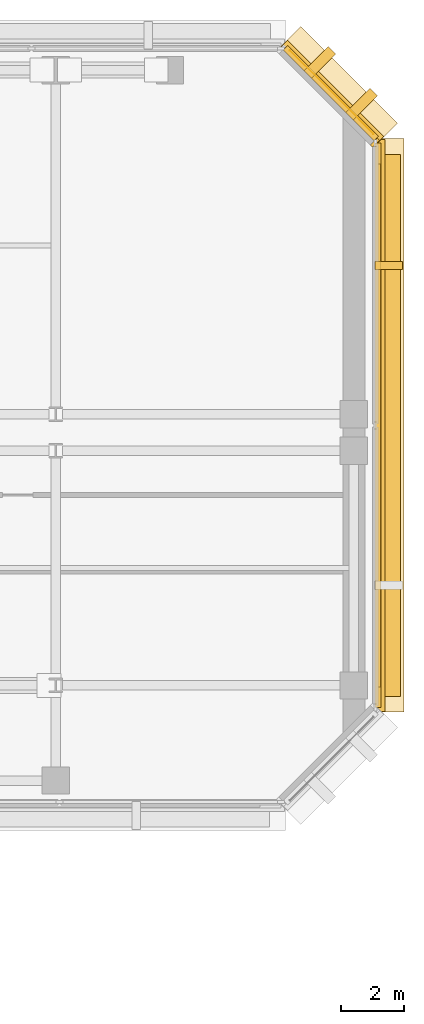
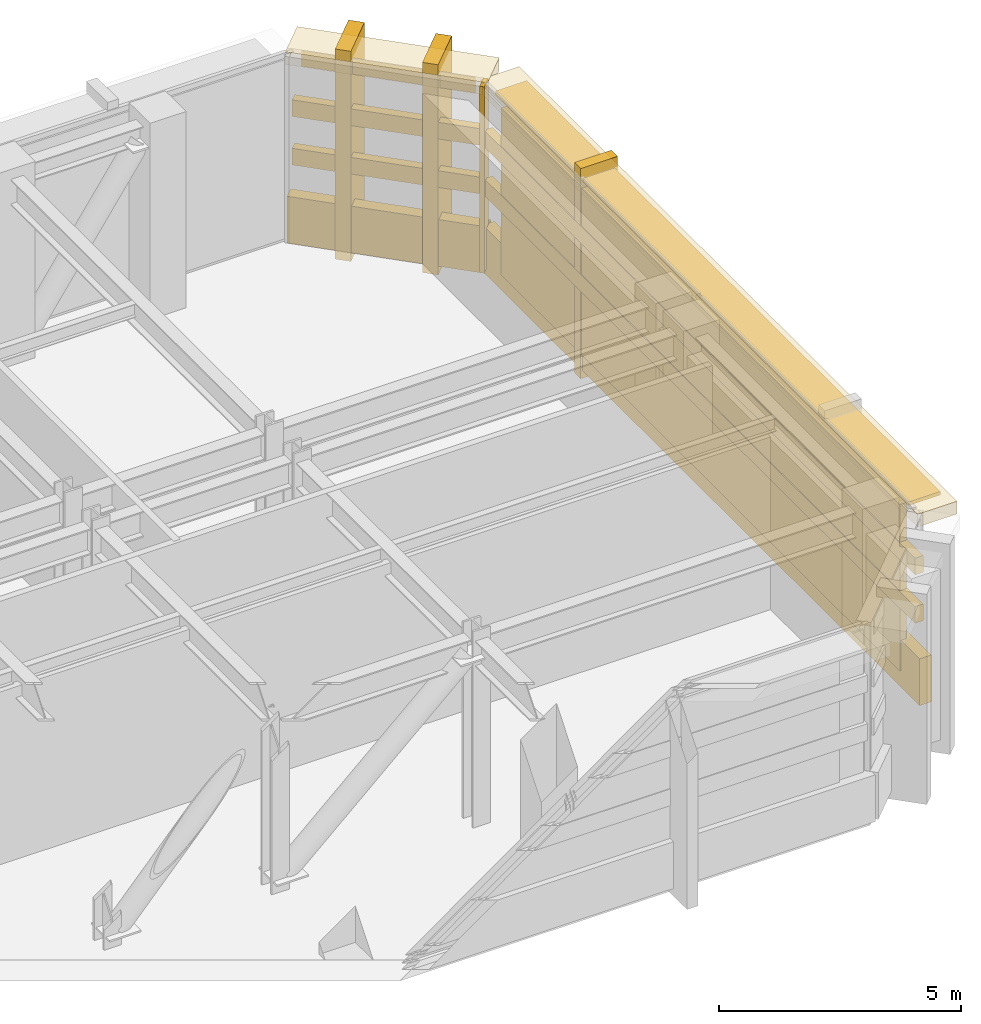
# One storey, part 12 of 12: 13 coverings, 2 shading devices.
"""IFC4 building model written with IfcOpenShell, lengths in metres."""

from ifc_helpers import new_model, si_unit, direction, frame, origin, origin_2d, place, context, subcontext, project, spatial, rectangle, extrude, material, layer, layer_set, type_object, element, save


model = new_model("IFC4")

# Units and contexts
model_context = context("Model", 3, precision=1e-05, world=origin(), true_north=direction((0.0, 1.0)))
body_context = subcontext(model_context, "Body", "Model", "MODEL_VIEW")
ifc_project = project(units=[si_unit("LENGTHUNIT", "METRE"), si_unit("AREAUNIT", "SQUARE_METRE"), si_unit("VOLUMEUNIT", "CUBIC_METRE"), si_unit("PLANEANGLEUNIT", "RADIAN"), si_unit("MASSUNIT", "GRAM", prefix="KILO")], contexts=[model_context])

# Site, building, storey
site_placement = place(None, origin())
site = spatial("IfcSite", under=ifc_project, at=site_placement, CompositionType="ELEMENT")
building_placement = place(site_placement, origin())
building = spatial("IfcBuilding", under=site, at=building_placement, Name="Kefirva Bronze Tower", CompositionType="ELEMENT")
storey_placement = place(building_placement, frame((0.0, 0.0, 174.570068359375)))
storey = spatial("IfcBuildingStorey", under=building, at=storey_placement, Name="L42", CompositionType="ELEMENT", Elevation=174.570068359375)

# Coverings
ifc_material = material(Name="Bronze anodised aluminium", Category="aluminium")
ifc_layer_1 = layer(ifc_material, 0.02001953125, Name="Bronze anodised aluminium")
ifc_layer_set_1 = layer_set([ifc_layer_1], Name="Bronze anodised aluminium")
covering_type_1 = type_object("IfcCoveringType", Name="Anodised Bronze Spandrel Cladding 20mm", PredefinedType="CLADDING", material=ifc_layer_set_1)
covering_1_placement = place(storey_placement, frame((50.239990234375, 34.0, -0.16015625), z_axis=(0.0, 0.0, 1.0), x_axis=(0.0, 1.0, 0.0)))
element("IfcCovering", 1, at=covering_1_placement, inside=storey, type_object=covering_type_1, Name="L42 Streamline Horizontal Spandrel Band 6", PredefinedType="CLADDING", context=body_context, shape_type="SweptSolid", body=[
    extrude(rectangle(XDim=18.0400390625, YDim=0.280029296875, at=origin_2d()), origin(), (0.0, 0.0, 1.0), 1.179931640625),
])
for number, where, z_axis, x_axis, name in (
    (2, (50.159912109375, 34.0, 1.85791015625), (0.0, 0.0, 1.0), (0.0, 1.0, 0.0), "L42 Recessed Zone-Break Bronze Louvre Band 6-1"),
    (3, (50.159912109375, 34.0, 3.080078125), (0.0, 0.0, 1.0), (0.0, 1.0, 0.0), "L42 Recessed Zone-Break Bronze Louvre Band 6-2"),
):
    element("IfcCovering", number, at=place(storey_placement, frame(where, z_axis=z_axis, x_axis=x_axis)), inside=storey, type_object=covering_type_1, Name=name, PredefinedType="CLADDING", context=body_context, shape_type="SweptSolid", body=[
        extrude(rectangle(XDim=17.800048828125, YDim=0.199951171875, at=origin_2d()), origin(), (0.0, 0.0, 1.0), 0.419921875),
    ])
covering_2_placement = place(storey_placement, frame((48.70703125, 44.507080078125, 4.280029296875), z_axis=(0.0, 0.0, 1.0), x_axis=(-0.707106781187, 0.707106781187, 0.0)))
element("IfcCovering", 4, at=covering_2_placement, inside=storey, type_object=covering_type_1, Name="L42 Bronze Spandrel Cladding 4", PredefinedType="CLADDING", context=body_context, shape_type="SweptSolid", body=[
    extrude(rectangle(XDim=3.719482421875, YDim=0.02001953125, at=origin_2d()), origin(), (0.0, 0.0, 1.0), 0.39990234375),
])
covering_3_placement = place(storey_placement, frame((50.06201171875, 42.91162109375, 0.0), z_axis=(0.0, 0.0, 1.0), x_axis=(-0.707106781187, 0.707106781187, 0.0)))
element("IfcCovering", 5, at=covering_3_placement, inside=storey, type_object=covering_type_1, Name="L42 Facade Joint Closure Panel 4S", PredefinedType="CLADDING", context=body_context, shape_type="SweptSolid", body=[
    extrude(rectangle(XDim=0.10009765625, YDim=0.320068359375, at=origin_2d()), origin(), (0.0, 0.0, 1.0), 4.699951171875),
])
covering_4_placement = place(storey_placement, frame((48.728271484375, 44.5283203125, -0.16015625), z_axis=(0.0, 0.0, 1.0), x_axis=(-0.707106781187, 0.707106781187, 0.0)))
element("IfcCovering", 6, at=covering_4_placement, inside=storey, type_object=covering_type_1, Name="L42 Streamline Horizontal Spandrel Band 7", PredefinedType="CLADDING", context=body_context, shape_type="SweptSolid", body=[
    extrude(rectangle(XDim=4.28271484375, YDim=0.280029296875, at=origin_2d()), origin(), (0.0, 0.0, 1.0), 1.179931640625),
])
for number, where, z_axis, x_axis, name in (
    (7, (48.671630859375, 44.4716796875, 1.85791015625), (0.0, 0.0, 1.0), (-0.707106781187, 0.707106781187, 0.0), "L42 Recessed Zone-Break Bronze Louvre Band 7-1"),
    (8, (48.671630859375, 44.4716796875, 3.080078125), (0.0, 0.0, 1.0), (-0.707106781187, 0.707106781187, 0.0), "L42 Recessed Zone-Break Bronze Louvre Band 7-2"),
):
    element("IfcCovering", number, at=place(storey_placement, frame(where, z_axis=z_axis, x_axis=x_axis)), inside=storey, type_object=covering_type_1, Name=name, PredefinedType="CLADDING", context=body_context, shape_type="SweptSolid", body=[
        extrude(rectangle(XDim=4.04248046875, YDim=0.199951171875, at=origin_2d()), origin(), (0.0, 0.0, 1.0), 0.419921875),
    ])

# Shading devices
ifc_layer_2 = layer(ifc_material, 0.090087890625, Name="Bronze anodised aluminium")
ifc_layer_set_2 = layer_set([ifc_layer_2], Name="Bronze anodised aluminium")
shading_device_type_1 = type_object("IfcShadingDeviceType", Name="Horizontal Bronze Sunshade Band 750mm", PredefinedType="JALOUSIE", material=ifc_layer_set_2)
shading_device_1_placement = place(storey_placement, frame((50.4951171875, 34.0, 4.5947265625), z_axis=(0.0, 0.0, 1.0), x_axis=(0.0, 1.0, 0.0)))
element("IfcShadingDevice", 9, at=shading_device_1_placement, inside=storey, type_object=shading_device_type_1, Name="L42 Horizontal Bronze Sunshade Band 6", PredefinedType="JALOUSIE", context=body_context, shape_type="SweptSolid", body=[
    extrude(rectangle(XDim=17.090087890625, YDim=0.75, at=origin_2d()), origin(), (0.0, 0.0, 1.0), 0.090087890625),
])
ifc_layer_3 = layer(ifc_material, 0.159912109375, Name="Bronze anodised aluminium")
ifc_layer_set_3 = layer_set([ifc_layer_3], Name="Bronze anodised aluminium")
shading_device_type_2 = type_object("IfcShadingDeviceType", Name="Recessed Zone-Break Acoustic Louvre Screen", PredefinedType="SHUTTER", material=ifc_layer_set_3)
shading_device_2_placement = place(storey_placement, frame((50.159912109375, 34.0, 0.25), z_axis=(0.0, 0.0, 1.0), x_axis=(0.0, 1.0, 0.0)))
element("IfcShadingDevice", 10, at=shading_device_2_placement, inside=storey, type_object=shading_device_type_2, Name="L42 Acoustic Plant Louvre Screen 6", PredefinedType="SHUTTER", context=body_context, shape_type="SweptSolid", body=[
    extrude(rectangle(XDim=16.489990234375, YDim=0.159912109375, at=origin_2d()), origin(), (0.0, 0.0, 1.0), 4.199951171875),
])

# Coverings
ifc_layer_4 = layer(ifc_material, 0.179931640625, Name="Bronze anodised aluminium")
ifc_layer_set_4 = layer_set([ifc_layer_4], Name="Bronze anodised aluminium")
covering_type_2 = type_object("IfcCoveringType", Name="Streamline Bronze Sunshade Eyebrow Cladding 180mm", PredefinedType="CLADDING", material=ifc_layer_set_4)
covering_5_placement = place(storey_placement, frame((50.510009765625, 34.0, 4.3798828125), z_axis=(0.0, 0.0, 1.0), x_axis=(0.0, 1.0, 0.0)))
element("IfcCovering", 11, at=covering_5_placement, inside=storey, type_object=covering_type_2, Name="L42 Streamline Bronze Sunshade Eyebrow 6", PredefinedType="CLADDING", context=body_context, shape_type="SweptSolid", body=[
    extrude(rectangle(XDim=18.080078125, YDim=0.93994140625, at=origin_2d()), origin(), (0.0, 0.0, 1.0), 0.320068359375),
])
covering_6_placement = place(storey_placement, frame((48.919189453125, 44.71923828125, 4.3798828125), z_axis=(0.0, 0.0, 1.0), x_axis=(-0.707106781187, 0.707106781187, 0.0)))
element("IfcCovering", 12, at=covering_6_placement, inside=storey, type_object=covering_type_2, Name="L42 Streamline Bronze Sunshade Eyebrow 7", PredefinedType="CLADDING", context=body_context, shape_type="SweptSolid", body=[
    extrude(rectangle(XDim=4.322509765625, YDim=0.93994140625, at=origin_2d()), origin(), (0.0, 0.0, 1.0), 0.320068359375),
])
ifc_layer_5 = layer(ifc_material, 0.260009765625, Name="Bronze anodised aluminium")
ifc_layer_set_5 = layer_set([ifc_layer_5], Name="Bronze anodised aluminium")
covering_type_3 = type_object("IfcCoveringType", Name="Unbroken Bronze Buttress Fin Cladding 260mm", PredefinedType="CLADDING", material=ifc_layer_set_5)
covering_7_placement = place(storey_placement, frame((50.5, 39.0400390625, -0.35009765625), z_axis=(0.0, 0.0, 1.0), x_axis=(0.0, 1.0, 0.0)))
element("IfcCovering", 13, at=covering_7_placement, inside=storey, type_object=covering_type_3, Name="L42 Unbroken Vertical Bronze Rib Fin 14", PredefinedType="CLADDING", context=body_context, shape_type="SweptSolid", body=[
    extrude(rectangle(XDim=0.260009765625, YDim=0.8798828125, at=origin_2d()), origin(), (0.0, 0.0, 1.0), 5.300048828125),
])
for number, where, z_axis, x_axis, name in (
    (14, (49.642822265625, 44.122802734375, -0.35009765625), (0.0, 0.0, 1.0), (-0.707106781187, 0.707106781187, 0.0), "L42 Chamfered Corner Buttress Fin Cladding 15"),
    (15, (48.32275390625, 45.44287109375, -0.35009765625), (0.0, 0.0, 1.0), (-0.707106781187, 0.707106781187, 0.0), "L42 Chamfered Corner Buttress Fin Cladding 16"),
):
    element("IfcCovering", number, at=place(storey_placement, frame(where, z_axis=z_axis, x_axis=x_axis)), inside=storey, type_object=covering_type_3, Name=name, PredefinedType="CLADDING", context=body_context, shape_type="SweptSolid", body=[
        extrude(rectangle(XDim=0.340087890625, YDim=1.080078125, at=origin_2d()), origin(), (0.0, 0.0, 1.0), 5.300048828125),
    ])

save(model, "model.ifc")
